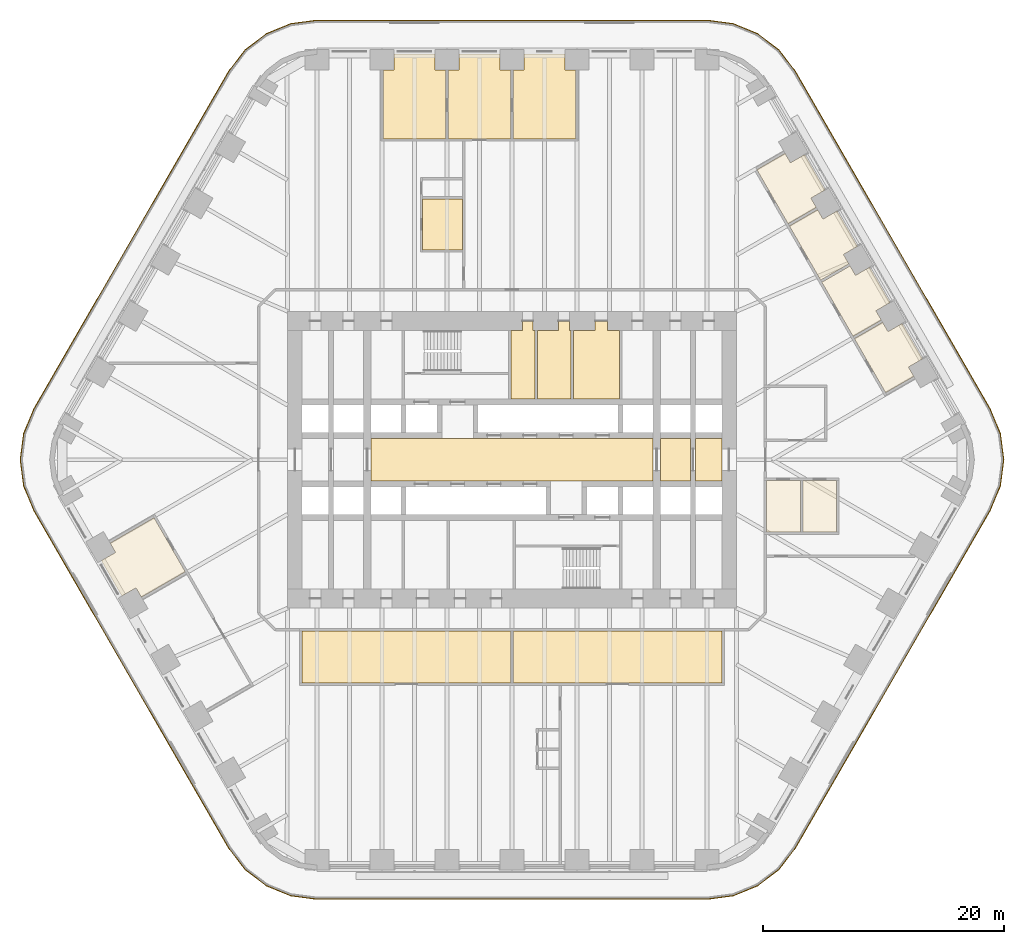
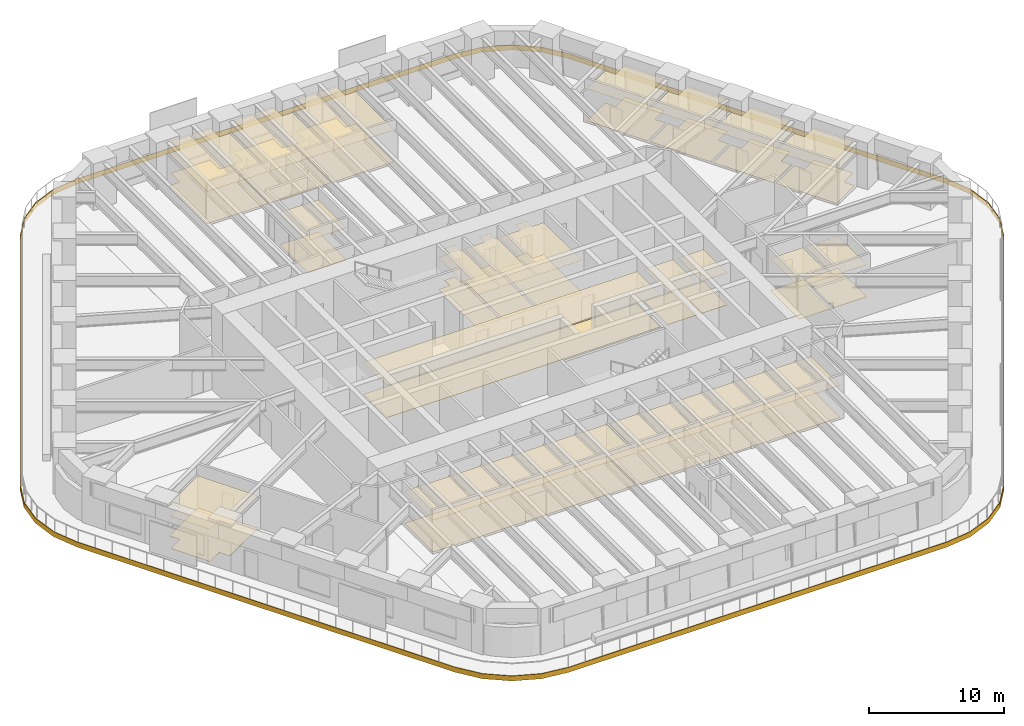
# One storey, part 23 of 24: 15 coverings.
"""IFC4 building model written with IfcOpenShell, lengths in metres."""

from ifc_helpers import new_model, si_unit, direction, frame, origin, place, context, subcontext, project, spatial, polyline, outline, extrude, material, layer, layer_set, type_object, element, save


model = new_model("IFC4")

# Units and contexts
model_context = context("Model", 3, precision=1e-05, world=origin(), true_north=direction((0.0, 1.0)))
body_context = subcontext(model_context, "Body", "Model", "MODEL_VIEW")
ifc_project = project(units=[si_unit("LENGTHUNIT", "METRE"), si_unit("AREAUNIT", "SQUARE_METRE"), si_unit("VOLUMEUNIT", "CUBIC_METRE"), si_unit("PLANEANGLEUNIT", "RADIAN"), si_unit("MASSUNIT", "GRAM", prefix="KILO")], contexts=[model_context])

# Site, building, storey
site_placement = place(None, origin())
site = spatial("IfcSite", under=ifc_project, at=site_placement, CompositionType="ELEMENT")
building_placement = place(site_placement, origin())
building = spatial("IfcBuilding", under=site, at=building_placement, Name="Tarfa Lantern Tower", CompositionType="ELEMENT")
storey_placement = place(building_placement, frame((0.0, 0.0, 73.89990234375)))
storey = spatial("IfcBuildingStorey", under=building, at=storey_placement, Name="L16", CompositionType="ELEMENT", Elevation=73.89990234375)

# Coverings
ifc_material_1 = material(Name="Mineral fibre acoustic tile on suspension grid", Category="finish")
ifc_layer_1 = layer(ifc_material_1, 0.02001953125)
ifc_layer_set_1 = layer_set([ifc_layer_1], Name="CL1 ACOUSTIC TILE CEILING 20")
covering_type_1 = type_object("IfcCoveringType", Name="CL1 ACOUSTIC TILE CEILING 20", PredefinedType="CEILING", material=ifc_layer_set_1)
covering_1_placement = place(storey_placement, frame((0.0, 0.0, 2.900146484375)))
element("IfcCovering", 1, at=covering_1_placement, inside=storey, type_object=covering_type_1, Name="Ceiling L16 CL1", PredefinedType="CEILING", context=body_context, shape_type="SweptSolid", body=[
    extrude(outline(polyline([(0.10009765625, -14.199951171875), (17.39990234375, -14.199951171875), (17.39990234375, -18.5), (0.10009765625, -18.5), (0.10009765625, -14.199951171875)])), origin(), (0.0, 0.0, 1.0), 0.02001953125),
    extrude(outline(polyline([(-17.39990234375, -14.199951171875), (-0.10009765625, -14.199951171875), (-0.10009765625, -18.5), (-17.39990234375, -18.5), (-17.39990234375, -14.199951171875)])), origin(), (0.0, 0.0, 1.0), 0.02001953125),
    extrude(outline(polyline([(5.28857421875, 26.60009765625), (0.10009765625, 26.60009765625), (0.10009765625, 32.300048828125), (1.0, 32.300048828125), (1.0, 33.64990234375), (4.388671875, 33.64990234375), (4.388671875, 32.300048828125), (5.28857421875, 32.300048828125), (5.28857421875, 26.60009765625)])), origin(), (0.0, 0.0, 1.0), 0.02001953125),
    extrude(outline(polyline([(-0.10009765625, 26.60009765625), (-5.28857421875, 26.60009765625), (-5.28857421875, 32.300048828125), (-4.388671875, 32.300048828125), (-4.388671875, 33.64990234375), (-1.0, 33.64990234375), (-1.0, 32.300048828125), (-0.10009765625, 32.300048828125), (-0.10009765625, 26.60009765625)])), origin(), (0.0, 0.0, 1.0), 0.02001953125),
    extrude(outline(polyline([(-5.488525390625, 26.60009765625), (-10.67724609375, 26.60009765625), (-10.67724609375, 32.300048828125), (-9.777099609375, 32.300048828125), (-9.777099609375, 33.64990234375), (-6.388671875, 33.64990234375), (-6.388671875, 32.300048828125), (-5.488525390625, 32.300048828125), (-5.488525390625, 26.60009765625)])), origin(), (0.0, 0.0, 1.0), 0.02001953125),
    extrude(outline(polyline([(28.378662109375, 10.046630859375), (30.717041015625, 11.396728515625), (31.1669921875, 10.6171875), (32.3359375, 11.292236328125), (34.0302734375, 8.357666015625), (32.861328125, 7.6826171875), (33.311279296875, 6.9033203125), (30.972900390625, 5.55322265625), (28.378662109375, 10.046630859375)])), origin(), (0.0, 0.0, 1.0), 0.02001953125),
    extrude(outline(polyline([(25.684326171875, 14.71337890625), (28.022705078125, 16.0634765625), (28.47265625, 15.283935546875), (29.641845703125, 15.958984375), (31.3359375, 13.0244140625), (30.1669921875, 12.349365234375), (30.616943359375, 11.56982421875), (28.278564453125, 10.219970703125), (25.684326171875, 14.71337890625)])), origin(), (0.0, 0.0, 1.0), 0.02001953125),
    extrude(outline(polyline([(22.989990234375, 19.380126953125), (25.328369140625, 20.72998046875), (25.7783203125, 19.95068359375), (26.947509765625, 20.625732421875), (28.641845703125, 17.69091796875), (27.47265625, 17.01611328125), (27.922607421875, 16.236572265625), (25.58447265625, 14.88671875), (22.989990234375, 19.380126953125)])), origin(), (0.0, 0.0, 1.0), 0.02001953125),
    extrude(outline(polyline([(20.295654296875, 24.046630859375), (22.634033203125, 25.396728515625), (23.083984375, 24.6171875), (24.253173828125, 25.292236328125), (25.947509765625, 22.357666015625), (24.7783203125, 21.6826171875), (25.228271484375, 20.9033203125), (22.89013671875, 19.55322265625), (20.295654296875, 24.046630859375)])), origin(), (0.0, 0.0, 1.0), 0.02001953125),
    extrude(outline(polyline([(-27.07958984375, -9.296630859375), (-30.717041015625, -11.396728515625), (-31.1669921875, -10.6171875), (-32.3359375, -11.292236328125), (-34.0302734375, -8.357666015625), (-32.861328125, -7.6826171875), (-33.311279296875, -6.9033203125), (-29.673828125, -4.80322265625), (-27.07958984375, -9.296630859375)])), origin(), (0.0, 0.0, 1.0), 0.02001953125),
    extrude(outline(polyline([(21.10009765625, -1.699951171875), (23.89990234375, -1.699951171875), (23.89990234375, -6.0), (21.10009765625, -6.0), (21.10009765625, -1.699951171875)])), origin(), (0.0, 0.0, 1.0), 0.02001953125),
    extrude(outline(polyline([(24.10009765625, -1.699951171875), (26.89990234375, -1.699951171875), (26.89990234375, -6.0), (24.10009765625, -6.0), (24.10009765625, -1.699951171875)])), origin(), (0.0, 0.0, 1.0), 0.02001953125),
    extrude(outline(polyline([(-7.39990234375, 21.60009765625), (-4.10009765625, 21.60009765625), (-4.10009765625, 17.39990234375), (-7.39990234375, 17.39990234375), (-7.39990234375, 21.60009765625)])), origin(), (0.0, 0.0, 1.0), 0.02001953125),
])
ifc_material_2 = material(Name="Moisture-resistant plasterboard", Category="finish")
ifc_layer_2 = layer(ifc_material_2, 0.014892578125)
ifc_layer_set_2 = layer_set([ifc_layer_2], Name="CL2 MOISTURE-RESISTANT PLASTERBOARD CEILING 15")
covering_type_2 = type_object("IfcCoveringType", Name="CL2 MOISTURE-RESISTANT PLASTERBOARD CEILING 15", PredefinedType="CEILING", material=ifc_layer_set_2)
covering_2_placement = place(storey_placement, frame((0.0, 0.0, 2.900146484375)))
element("IfcCovering", 2, at=covering_2_placement, inside=storey, type_object=covering_type_2, Name="Ceiling L16-09", PredefinedType="CEILING", context=body_context, shape_type="SweptSolid", body=[
    extrude(outline(polyline([(0.85009765625, 10.699951171875), (-0.10009765625, 10.699951171875), (-0.10009765625, 5.050048828125), (1.89990234375, 5.050048828125), (1.89990234375, 10.699951171875), (1.75, 10.699951171875), (1.75, 11.5), (1.75, 11.5), (0.85009765625, 11.5), (0.85009765625, 10.699951171875)])), origin(), (0.0, 0.0, 1.0), 0.014892578125),
])
covering_3_placement = place(storey_placement, frame((0.0, 0.0, 2.900146484375)))
element("IfcCovering", 3, at=covering_3_placement, inside=storey, type_object=covering_type_2, Name="Ceiling L16-10", PredefinedType="CEILING", context=body_context, shape_type="SweptSolid", body=[
    extrude(outline(polyline([(2.10009765625, 5.050048828125), (4.89990234375, 5.050048828125), (4.89990234375, 10.699951171875), (4.75, 10.699951171875), (4.75, 11.5), (3.85009765625, 11.5), (3.85009765625, 10.699951171875), (2.10009765625, 10.699951171875), (2.10009765625, 5.050048828125)])), origin(), (0.0, 0.0, 1.0), 0.014892578125),
])
covering_4_placement = place(storey_placement, frame((0.0, 0.0, 2.900146484375)))
element("IfcCovering", 4, at=covering_4_placement, inside=storey, type_object=covering_type_2, Name="Ceiling L16-11", PredefinedType="CEILING", context=body_context, shape_type="SweptSolid", body=[
    extrude(outline(polyline([(5.10009765625, 5.050048828125), (8.89990234375, 5.050048828125), (8.89990234375, 10.699951171875), (7.89990234375, 10.699951171875), (7.89990234375, 11.5), (6.89990234375, 11.5), (6.89990234375, 10.699951171875), (5.10009765625, 10.699951171875), (5.10009765625, 5.050048828125)])), origin(), (0.0, 0.0, 1.0), 0.014892578125),
])
ifc_material_3 = material(Name="Powder-coated aluminium panel", Category="aluminium")
ifc_layer_3 = layer(ifc_material_3, 0.030029296875)
ifc_layer_set_3 = layer_set([ifc_layer_3], Name="CL3 METAL PANEL CEILING 30")
covering_type_3 = type_object("IfcCoveringType", Name="CL3 METAL PANEL CEILING 30", PredefinedType="CEILING", material=ifc_layer_set_3)
covering_5_placement = place(storey_placement, frame((0.0, 0.0, 2.900146484375)))
element("IfcCovering", 5, at=covering_5_placement, inside=storey, type_object=covering_type_3, Name="Ceiling L16-03", PredefinedType="CEILING", context=body_context, shape_type="SweptSolid", body=[
    extrude(outline(polyline([(-11.699951171875, -1.75), (11.699951171875, -1.75), (11.699951171875, 1.75), (-11.699951171875, 1.75), (-11.699951171875, -1.75)])), origin(), (0.0, 0.0, 1.0), 0.030029296875),
])
covering_6_placement = place(storey_placement, frame((0.0, 0.0, 2.900146484375)))
element("IfcCovering", 6, at=covering_6_placement, inside=storey, type_object=covering_type_3, Name="Ceiling L16-04", PredefinedType="CEILING", context=body_context, shape_type="SweptSolid", body=[
    extrude(outline(polyline([(12.300048828125, -1.75), (14.800048828125, -1.75), (14.800048828125, 1.75), (12.300048828125, 1.75), (12.300048828125, -1.75)])), origin(), (0.0, 0.0, 1.0), 0.030029296875),
])
covering_7_placement = place(storey_placement, frame((0.0, 0.0, 2.900146484375)))
element("IfcCovering", 7, at=covering_7_placement, inside=storey, type_object=covering_type_3, Name="Ceiling L16-05", PredefinedType="CEILING", context=body_context, shape_type="SweptSolid", body=[
    extrude(outline(polyline([(15.199951171875, -1.75), (17.39990234375, -1.75), (17.39990234375, 1.75), (15.199951171875, 1.75), (15.199951171875, -1.75)])), origin(), (0.0, 0.0, 1.0), 0.030029296875),
])
ifc_material_4 = material(Name="Nylon carpet tile", Category="finish")
ifc_layer_4 = layer(ifc_material_4, 0.010009765625)
ifc_layer_set_4 = layer_set([ifc_layer_4], Name="FL1 CARPET TILE 10")
covering_type_4 = type_object("IfcCoveringType", Name="FL1 CARPET TILE 10", PredefinedType="FLOORING", material=ifc_layer_set_4)
covering_8_placement = place(storey_placement, origin())
element("IfcCovering", 8, at=covering_8_placement, inside=storey, type_object=covering_type_4, Name="Floor finish L16 FL1", PredefinedType="FLOORING", context=body_context, shape_type="SweptSolid", body=[
    extrude(outline(polyline([(0.10009765625, -14.199951171875), (17.39990234375, -14.199951171875), (17.39990234375, -18.5), (0.10009765625, -18.5), (0.10009765625, -14.199951171875)])), origin(), (0.0, 0.0, 1.0), 0.010009765625),
    extrude(outline(polyline([(-17.39990234375, -14.199951171875), (-0.10009765625, -14.199951171875), (-0.10009765625, -18.5), (-17.39990234375, -18.5), (-17.39990234375, -14.199951171875)])), origin(), (0.0, 0.0, 1.0), 0.010009765625),
    extrude(outline(polyline([(5.28857421875, 26.60009765625), (0.10009765625, 26.60009765625), (0.10009765625, 32.300048828125), (1.0, 32.300048828125), (1.0, 33.64990234375), (4.388671875, 33.64990234375), (4.388671875, 32.300048828125), (5.28857421875, 32.300048828125), (5.28857421875, 26.60009765625)])), origin(), (0.0, 0.0, 1.0), 0.010009765625),
    extrude(outline(polyline([(-0.10009765625, 26.60009765625), (-5.28857421875, 26.60009765625), (-5.28857421875, 32.300048828125), (-4.388671875, 32.300048828125), (-4.388671875, 33.64990234375), (-1.0, 33.64990234375), (-1.0, 32.300048828125), (-0.10009765625, 32.300048828125), (-0.10009765625, 26.60009765625)])), origin(), (0.0, 0.0, 1.0), 0.010009765625),
    extrude(outline(polyline([(-5.488525390625, 26.60009765625), (-10.67724609375, 26.60009765625), (-10.67724609375, 32.300048828125), (-9.777099609375, 32.300048828125), (-9.777099609375, 33.64990234375), (-6.388671875, 33.64990234375), (-6.388671875, 32.300048828125), (-5.488525390625, 32.300048828125), (-5.488525390625, 26.60009765625)])), origin(), (0.0, 0.0, 1.0), 0.010009765625),
    extrude(outline(polyline([(28.378662109375, 10.046630859375), (30.717041015625, 11.396728515625), (31.1669921875, 10.6171875), (32.3359375, 11.292236328125), (34.0302734375, 8.357666015625), (32.861328125, 7.6826171875), (33.311279296875, 6.9033203125), (30.972900390625, 5.55322265625), (28.378662109375, 10.046630859375)])), origin(), (0.0, 0.0, 1.0), 0.010009765625),
    extrude(outline(polyline([(25.684326171875, 14.71337890625), (28.022705078125, 16.0634765625), (28.47265625, 15.283935546875), (29.641845703125, 15.958984375), (31.3359375, 13.0244140625), (30.1669921875, 12.349365234375), (30.616943359375, 11.56982421875), (28.278564453125, 10.219970703125), (25.684326171875, 14.71337890625)])), origin(), (0.0, 0.0, 1.0), 0.010009765625),
    extrude(outline(polyline([(22.989990234375, 19.380126953125), (25.328369140625, 20.72998046875), (25.7783203125, 19.95068359375), (26.947509765625, 20.625732421875), (28.641845703125, 17.69091796875), (27.47265625, 17.01611328125), (27.922607421875, 16.236572265625), (25.58447265625, 14.88671875), (22.989990234375, 19.380126953125)])), origin(), (0.0, 0.0, 1.0), 0.010009765625),
    extrude(outline(polyline([(20.295654296875, 24.046630859375), (22.634033203125, 25.396728515625), (23.083984375, 24.6171875), (24.253173828125, 25.292236328125), (25.947509765625, 22.357666015625), (24.7783203125, 21.6826171875), (25.228271484375, 20.9033203125), (22.89013671875, 19.55322265625), (20.295654296875, 24.046630859375)])), origin(), (0.0, 0.0, 1.0), 0.010009765625),
    extrude(outline(polyline([(-27.07958984375, -9.296630859375), (-30.717041015625, -11.396728515625), (-31.1669921875, -10.6171875), (-32.3359375, -11.292236328125), (-34.0302734375, -8.357666015625), (-32.861328125, -7.6826171875), (-33.311279296875, -6.9033203125), (-29.673828125, -4.80322265625), (-27.07958984375, -9.296630859375)])), origin(), (0.0, 0.0, 1.0), 0.010009765625),
    extrude(outline(polyline([(21.10009765625, -1.699951171875), (23.89990234375, -1.699951171875), (23.89990234375, -6.0), (21.10009765625, -6.0), (21.10009765625, -1.699951171875)])), origin(), (0.0, 0.0, 1.0), 0.010009765625),
    extrude(outline(polyline([(24.10009765625, -1.699951171875), (26.89990234375, -1.699951171875), (26.89990234375, -6.0), (24.10009765625, -6.0), (24.10009765625, -1.699951171875)])), origin(), (0.0, 0.0, 1.0), 0.010009765625),
    extrude(outline(polyline([(-7.39990234375, 21.60009765625), (-4.10009765625, 21.60009765625), (-4.10009765625, 17.39990234375), (-7.39990234375, 17.39990234375), (-7.39990234375, 21.60009765625)])), origin(), (0.0, 0.0, 1.0), 0.010009765625),
])
ifc_material_5 = material(Name="Honed limestone flooring", Category="masonry")
ifc_layer_5 = layer(ifc_material_5, 0.030029296875)
ifc_layer_set_5 = layer_set([ifc_layer_5], Name="FL2 STONE FLOORING 30")
covering_type_5 = type_object("IfcCoveringType", Name="FL2 STONE FLOORING 30", PredefinedType="FLOORING", material=ifc_layer_set_5)
covering_9_placement = place(storey_placement, origin())
element("IfcCovering", 9, at=covering_9_placement, inside=storey, type_object=covering_type_5, Name="Floor finish L16-03", PredefinedType="FLOORING", context=body_context, shape_type="SweptSolid", body=[
    extrude(outline(polyline([(-11.699951171875, -1.75), (11.699951171875, -1.75), (11.699951171875, 1.75), (-11.699951171875, 1.75), (-11.699951171875, -1.75)])), origin(), (0.0, 0.0, 1.0), 0.030029296875),
])
covering_10_placement = place(storey_placement, origin())
element("IfcCovering", 10, at=covering_10_placement, inside=storey, type_object=covering_type_5, Name="Floor finish L16-04", PredefinedType="FLOORING", context=body_context, shape_type="SweptSolid", body=[
    extrude(outline(polyline([(12.300048828125, -1.75), (14.800048828125, -1.75), (14.800048828125, 1.75), (12.300048828125, 1.75), (12.300048828125, -1.75)])), origin(), (0.0, 0.0, 1.0), 0.030029296875),
])
covering_11_placement = place(storey_placement, origin())
element("IfcCovering", 11, at=covering_11_placement, inside=storey, type_object=covering_type_5, Name="Floor finish L16-05", PredefinedType="FLOORING", context=body_context, shape_type="SweptSolid", body=[
    extrude(outline(polyline([(15.199951171875, -1.75), (17.39990234375, -1.75), (17.39990234375, 1.75), (15.199951171875, 1.75), (15.199951171875, -1.75)])), origin(), (0.0, 0.0, 1.0), 0.030029296875),
])
ifc_material_6 = material(Name="Porcelain floor tile", Category="finish")
ifc_layer_6 = layer(ifc_material_6, 0.011962890625)
ifc_layer_set_6 = layer_set([ifc_layer_6], Name="FL3 CERAMIC TILE 12")
covering_type_6 = type_object("IfcCoveringType", Name="FL3 CERAMIC TILE 12", PredefinedType="FLOORING", material=ifc_layer_set_6)
covering_12_placement = place(storey_placement, origin())
element("IfcCovering", 12, at=covering_12_placement, inside=storey, type_object=covering_type_6, Name="Floor finish L16-09", PredefinedType="FLOORING", context=body_context, shape_type="SweptSolid", body=[
    extrude(outline(polyline([(0.85009765625, 10.699951171875), (-0.10009765625, 10.699951171875), (-0.10009765625, 5.050048828125), (1.89990234375, 5.050048828125), (1.89990234375, 10.699951171875), (1.75, 10.699951171875), (1.75, 11.5), (1.75, 11.5), (0.85009765625, 11.5), (0.85009765625, 10.699951171875)])), origin(), (0.0, 0.0, 1.0), 0.01220703125),
])
covering_13_placement = place(storey_placement, origin())
element("IfcCovering", 13, at=covering_13_placement, inside=storey, type_object=covering_type_6, Name="Floor finish L16-10", PredefinedType="FLOORING", context=body_context, shape_type="SweptSolid", body=[
    extrude(outline(polyline([(2.10009765625, 5.050048828125), (4.89990234375, 5.050048828125), (4.89990234375, 10.699951171875), (4.75, 10.699951171875), (4.75, 11.5), (3.85009765625, 11.5), (3.85009765625, 10.699951171875), (2.10009765625, 10.699951171875), (2.10009765625, 5.050048828125)])), origin(), (0.0, 0.0, 1.0), 0.01220703125),
])
covering_14_placement = place(storey_placement, origin())
element("IfcCovering", 14, at=covering_14_placement, inside=storey, type_object=covering_type_6, Name="Floor finish L16-11", PredefinedType="FLOORING", context=body_context, shape_type="SweptSolid", body=[
    extrude(outline(polyline([(5.10009765625, 5.050048828125), (8.89990234375, 5.050048828125), (8.89990234375, 10.699951171875), (7.89990234375, 10.699951171875), (7.89990234375, 11.5), (6.89990234375, 11.5), (6.89990234375, 10.699951171875), (5.10009765625, 10.699951171875), (5.10009765625, 5.050048828125)])), origin(), (0.0, 0.0, 1.0), 0.01220703125),
])
ifc_material_7 = material(Name="Limestone cladding on brackets", Category="masonry")
ifc_layer_7 = layer(ifc_material_7, 0.050048828125)
ifc_layer_set_7 = layer_set([ifc_layer_7], Name="SB1 STONE BAND CLADDING 50")
covering_type_7 = type_object("IfcCoveringType", Name="SB1 STONE BAND CLADDING 50", PredefinedType="CLADDING", material=ifc_layer_set_7)
covering_15_placement = place(storey_placement, frame((0.0, 0.0, -0.39990234375)))
element("IfcCovering", 15, at=covering_15_placement, inside=storey, type_object=covering_type_7, Name="Stone band", PredefinedType="CLADDING", context=body_context, shape_type="SweptSolid", body=[
    extrude(outline(polyline([(39.6494140625, 4.22509765625), (23.483642578125, 32.22509765625), (22.140869140625, 33.97509765625), (20.390869140625, 35.31787109375), (18.352783203125, 36.162109375), (16.165771484375, 36.449951171875), (-16.165771484375, 36.449951171875), (-18.352783203125, 36.162109375), (-20.390869140625, 35.31787109375), (-22.140869140625, 33.97509765625), (-23.483642578125, 32.22509765625), (-39.6494140625, 4.22509765625), (-40.49365234375, 2.18701171875), (-40.781494140625, 0.0), (-40.49365234375, -2.18701171875), (-39.6494140625, -4.22509765625), (-23.483642578125, -32.22509765625), (-22.140869140625, -33.97509765625), (-20.390869140625, -35.31787109375), (-18.352783203125, -36.162109375), (-16.165771484375, -36.449951171875), (16.165771484375, -36.449951171875), (18.352783203125, -36.162109375), (20.390869140625, -35.31787109375), (22.140869140625, -33.97509765625), (23.483642578125, -32.22509765625), (39.6494140625, -4.22509765625), (40.49365234375, -2.18701171875), (40.781494140625, 0.0), (40.49365234375, 2.18701171875), (39.6494140625, 4.22509765625)]), holes=[polyline([(39.606201171875, 4.199951171875), (23.4404296875, 32.199951171875), (22.10546875, 33.939697265625), (20.36572265625, 35.274658203125), (18.33984375, 36.11376953125), (16.165771484375, 36.39990234375), (-16.165771484375, 36.39990234375), (-18.33984375, 36.11376953125), (-20.36572265625, 35.274658203125), (-22.10546875, 33.939697265625), (-23.4404296875, 32.199951171875), (-39.606201171875, 4.199951171875), (-40.4453125, 2.174072265625), (-40.731689453125, 0.0), (-40.4453125, -2.174072265625), (-39.606201171875, -4.199951171875), (-23.4404296875, -32.199951171875), (-22.10546875, -33.939697265625), (-20.36572265625, -35.274658203125), (-18.33984375, -36.11376953125), (-16.165771484375, -36.39990234375), (16.165771484375, -36.39990234375), (18.33984375, -36.11376953125), (20.36572265625, -35.274658203125), (22.10546875, -33.939697265625), (23.4404296875, -32.199951171875), (39.606201171875, -4.199951171875), (40.4453125, -2.174072265625), (40.731689453125, 0.0), (40.4453125, 2.174072265625), (39.606201171875, 4.199951171875)])]), origin(), (0.0, 0.0, 1.0), 0.449951171875),
])

save(model, "model.ifc")
